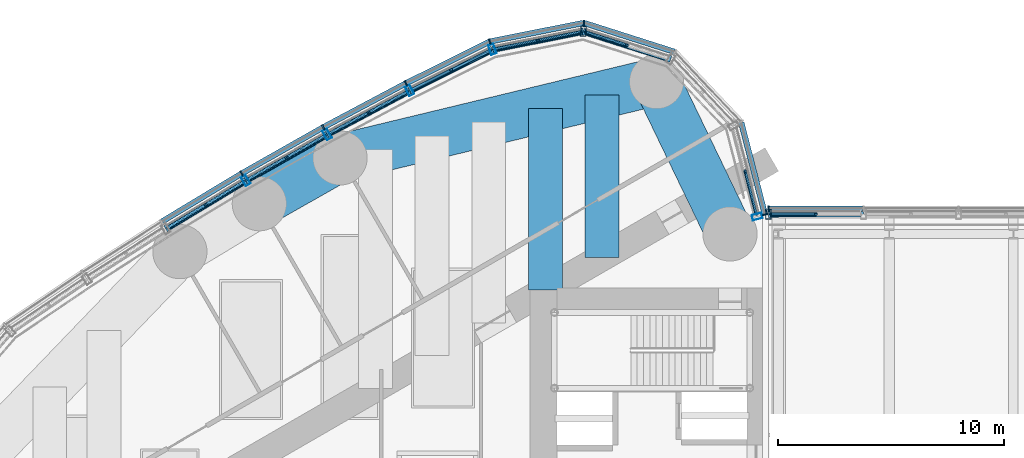
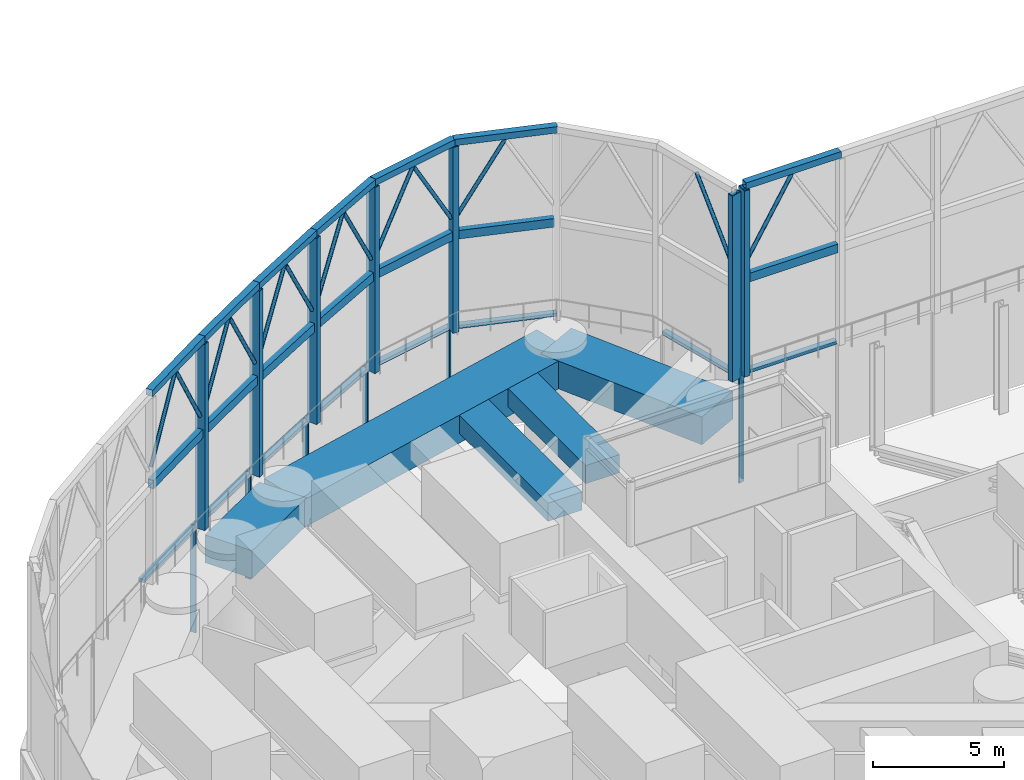
# One storey, part 12 of 33: 49 members, 5 beams, 4 elements without a shape of their own.
"""IFC4 building model written with IfcOpenShell, lengths in metres."""

from ifc_helpers import new_model, si_unit, direction, frame, origin, origin_2d, place, context, subcontext, project, spatial, rectangle, hollow_rectangle, hollow_circle, extrude, material, material_profile, profile_set, type_object, element, aggregate, save


model = new_model("IFC4")

# Units and contexts
model_context = context("Model", 3, precision=1e-05, world=origin(), true_north=direction((0.0, 1.0)))
body_context = subcontext(model_context, "Body", "Model", "MODEL_VIEW")
ifc_project = project(units=[si_unit("LENGTHUNIT", "METRE"), si_unit("AREAUNIT", "SQUARE_METRE"), si_unit("VOLUMEUNIT", "CUBIC_METRE"), si_unit("PLANEANGLEUNIT", "RADIAN"), si_unit("MASSUNIT", "GRAM", prefix="KILO")], contexts=[model_context])

# Site, building, storey
site_placement = place(None, origin())
site = spatial("IfcSite", under=ifc_project, at=site_placement, CompositionType="ELEMENT")
building_placement = place(site_placement, origin())
building = spatial("IfcBuilding", under=site, at=building_placement, Name="Lancet Gate Hotel", CompositionType="ELEMENT")
storey_placement = place(building_placement, frame((0.0, 0.0, 268.300048828125)))
storey = spatial("IfcBuildingStorey", under=building, at=storey_placement, Name="L70", CompositionType="ELEMENT", Elevation=268.300048828125)

# Curtain wall, members
ifc_material_1 = material(Name="Aluminium curtain wall", Category="aluminium")
curtain_wall_type_1 = type_object("IfcCurtainWallType", Name="Lantern crown glazing", PredefinedType="USERDEFINED", material=ifc_material_1)
curtain_wall_1_placement = place(storey_placement, origin())
curtain_wall_1 = element("IfcCurtainWall", 1, at=curtain_wall_1_placement, inside=storey, type_object=curtain_wall_type_1, Name="T1 L70 curtain wall 1", ObjectType="LANTERN GLAZING", PredefinedType="USERDEFINED")
ifc_material_2 = material(Name="Aluminium mullion", Category="aluminium")
ifc_material_profile_1 = material_profile(ifc_material_2, rectangle(XDim=0.06494140625, YDim=0.25, at=origin_2d()), Name="MULLION 65x250")
ifc_profile_set_1 = profile_set([ifc_material_profile_1], Name="Aluminium mullion")
member_type_1 = type_object("IfcMemberType", Name="Aluminium mullion 65x250", PredefinedType="MULLION", material=ifc_profile_set_1)
member_1_placement = place(storey_placement, frame((-27.5, 11.861572265625, 0.0), z_axis=(0.0, 0.0, 1.0), x_axis=(-0.249725827997, 0.968316586056, 0.0)))
member_1 = element("IfcMember", 2, at=member_1_placement, type_object=member_type_1, Name="T1 L70 curtain wall 1 mullion 1", PredefinedType="MULLION", context=body_context, shape_type="SweptSolid", body=[
    extrude(rectangle(XDim=0.06494140625, YDim=0.25, at=origin_2d()), origin(), (0.0, 0.0, 1.0), 5.0),
])
member_2_placement = place(storey_placement, frame((-35.520751953125, 20.347900390625, 0.0), z_axis=(0.0, 0.0, 1.0), x_axis=(-0.998409168318, 0.056383797491, 0.0)))
member_2 = element("IfcMember", 3, at=member_2_placement, type_object=member_type_1, Name="T1 L70 curtain wall 1 mullion 4", PredefinedType="MULLION", context=body_context, shape_type="SweptSolid", body=[
    extrude(rectangle(XDim=0.06494140625, YDim=0.25, at=origin_2d()), origin(), (0.0, 0.0, 1.0), 5.0),
])
member_3_placement = place(storey_placement, frame((-39.684814453125, 19.521240234375, 0.0), z_axis=(0.0, 0.0, 1.0), x_axis=(-0.946887706423, -0.321564412561, 0.0)))
member_3 = element("IfcMember", 4, at=member_3_placement, type_object=member_type_1, Name="T1 L70 curtain wall 1 mullion 5", PredefinedType="MULLION", context=body_context, shape_type="SweptSolid", body=[
    extrude(rectangle(XDim=0.06494140625, YDim=0.25, at=origin_2d()), origin(), (0.0, 0.0, 1.0), 5.0),
])
member_4_placement = place(storey_placement, frame((-43.3994140625, 17.67236328125, 0.0), z_axis=(0.0, 0.0, 1.0), x_axis=(-0.889155526065, -0.457605125046, 0.0)))
member_4 = element("IfcMember", 5, at=member_4_placement, type_object=member_type_1, Name="T1 L70 curtain wall 1 mullion 6", PredefinedType="MULLION", context=body_context, shape_type="SweptSolid", body=[
    extrude(rectangle(XDim=0.06494140625, YDim=0.25, at=origin_2d()), origin(), (0.0, 0.0, 1.0), 5.0),
])
member_5_placement = place(storey_placement, frame((-47.062744140625, 15.72412109375, 0.0), z_axis=(0.0, 0.0, 1.0), x_axis=(-0.876516407283, -0.481371984815, 0.0)))
member_5 = element("IfcMember", 6, at=member_5_placement, type_object=member_type_1, Name="T1 L70 curtain wall 1 mullion 7", PredefinedType="MULLION", context=body_context, shape_type="SweptSolid", body=[
    extrude(rectangle(XDim=0.06494140625, YDim=0.25, at=origin_2d()), origin(), (0.0, 0.0, 1.0), 5.0),
])
member_6_placement = place(storey_placement, frame((-50.67236328125, 13.677978515625, 0.0), z_axis=(0.0, 0.0, 1.0), x_axis=(-0.863242155108, -0.504790037189, 0.0)))
member_6 = element("IfcMember", 7, at=member_6_placement, type_object=member_type_1, Name="T1 L70 curtain wall 1 mullion 8", PredefinedType="MULLION", context=body_context, shape_type="SweptSolid", body=[
    extrude(rectangle(XDim=0.06494140625, YDim=0.25, at=origin_2d()), origin(), (0.0, 0.0, 1.0), 5.0),
])

# Curtain wall, member
curtain_wall_2_placement = place(storey_placement, origin())
curtain_wall_2 = element("IfcCurtainWall", 8, at=curtain_wall_2_placement, inside=storey, type_object=curtain_wall_type_1, Name="Bridge block L70 curtain wall N", ObjectType="LANTERN GLAZING", PredefinedType="USERDEFINED")
member_7_placement = place(storey_placement, frame((-27.35009765625, 12.1201171875, 0.0), z_axis=(0.0, 0.0, 1.0), x_axis=(-1.0, 0.0, 0.0)))
member_7 = element("IfcMember", 9, at=member_7_placement, type_object=member_type_1, Name="Bridge block L70 curtain wall N mullion 14", PredefinedType="MULLION", context=body_context, shape_type="SweptSolid", body=[
    extrude(rectangle(XDim=0.06494140625, YDim=0.25, at=origin_2d()), origin(), (0.0, 0.0, 1.0), 5.0),
])

# Member
ifc_material_3 = material(Name="Aluminium transom", Category="aluminium")
ifc_material_profile_2 = material_profile(ifc_material_3, rectangle(XDim=0.25, YDim=0.14990234375, at=origin_2d()), Name="TRANSOM 250x150")
ifc_profile_set_2 = profile_set([ifc_material_profile_2], Name="Aluminium transom")
member_type_2 = type_object("IfcMemberType", Name="Aluminium transom 250x150", PredefinedType="USERDEFINED", material=ifc_profile_set_2)
member_8_placement = place(storey_placement, frame((-27.508056640625, 11.892822265625, 4.925048828125), z_axis=(-0.249715522936, 0.968319243641, 0.0), x_axis=(-0.968319243641, -0.249715522936, 0.0)))
member_8 = element("IfcMember", 10, at=member_8_placement, type_object=member_type_2, Name="T1 L70 curtain wall 1 transom 1", ObjectType="TRANSOM", PredefinedType="USERDEFINED", context=body_context, shape_type="SweptSolid", body=[
    extrude(rectangle(XDim=0.25, YDim=0.14990234375, at=origin_2d()), origin(), (0.0, 0.0, 1.0), 4.180419921875),
])

member_9_placement = place(storey_placement, frame((-31.507080078125, 19.067626953125, 4.925048828125), z_axis=(-0.952697713775, 0.303919506068, 0.0), x_axis=(-0.303919506068, -0.952697713775, 0.0)))
member_9 = element("IfcMember", 11, at=member_9_placement, type_object=member_type_2, Name="T1 L70 curtain wall 1 transom 3", ObjectType="TRANSOM", PredefinedType="USERDEFINED", context=body_context, shape_type="SweptSolid", body=[
    extrude(rectangle(XDim=0.25, YDim=0.14990234375, at=origin_2d()), origin(), (0.0, 0.0, 1.0), 4.180419921875),
])

member_10_placement = place(storey_placement, frame((-35.552734375, 20.341552734375, 4.925048828125), z_axis=(-0.980858234867, -0.194723196085, 0.0), x_axis=(0.194723196085, -0.980858234867, 0.0)))
member_10 = element("IfcMember", 12, at=member_10_placement, type_object=member_type_2, Name="T1 L70 curtain wall 1 transom 4", ObjectType="TRANSOM", PredefinedType="USERDEFINED", context=body_context, shape_type="SweptSolid", body=[
    extrude(rectangle(XDim=0.25, YDim=0.14990234375, at=origin_2d()), origin(), (0.0, 0.0, 1.0), 4.18017578125),
])

member_11_placement = place(storey_placement, frame((-39.7138671875, 19.5068359375, 4.925048828125), z_axis=(-0.895226720479, -0.445610950202, 0.0), x_axis=(0.445610950202, -0.895226720479, 0.0)))
member_11 = element("IfcMember", 13, at=member_11_placement, type_object=member_type_2, Name="T1 L70 curtain wall 1 transom 5", ObjectType="TRANSOM", PredefinedType="USERDEFINED", context=body_context, shape_type="SweptSolid", body=[
    extrude(rectangle(XDim=0.25, YDim=0.14990234375, at=origin_2d()), origin(), (0.0, 0.0, 1.0), 4.08447265625),
])

member_12_placement = place(storey_placement, frame((-43.427978515625, 17.656982421875, 4.925048828125), z_axis=(-0.882944619844, -0.469477154171, 0.0), x_axis=(0.469477154171, -0.882944619844, 0.0)))
member_12 = element("IfcMember", 14, at=member_12_placement, type_object=member_type_2, Name="T1 L70 curtain wall 1 transom 6", ObjectType="TRANSOM", PredefinedType="USERDEFINED", context=body_context, shape_type="SweptSolid", body=[
    extrude(rectangle(XDim=0.25, YDim=0.14990234375, at=origin_2d()), origin(), (0.0, 0.0, 1.0), 4.084228515625),
])

member_13_placement = place(storey_placement, frame((-47.091064453125, 15.7080078125, 4.925048828125), z_axis=(-0.869977740049, -0.493090997503, 0.0), x_axis=(0.493090997503, -0.869977740049, 0.0)))
member_13 = element("IfcMember", 15, at=member_13_placement, type_object=member_type_2, Name="T1 L70 curtain wall 1 transom 7", ObjectType="TRANSOM", PredefinedType="USERDEFINED", context=body_context, shape_type="SweptSolid", body=[
    extrude(rectangle(XDim=0.25, YDim=0.14990234375, at=origin_2d()), origin(), (0.0, 0.0, 1.0), 4.084228515625),
])

member_14_placement = place(storey_placement, frame((-50.7001953125, 13.661376953125, 4.925048828125), z_axis=(-0.856362214892, -0.516375596737, 0.0), x_axis=(0.516375596737, -0.856362214892, 0.0)))
member_14 = element("IfcMember", 16, at=member_14_placement, type_object=member_type_2, Name="T1 L70 curtain wall 1 transom 8", ObjectType="TRANSOM", PredefinedType="USERDEFINED", context=body_context, shape_type="SweptSolid", body=[
    extrude(rectangle(XDim=0.25, YDim=0.14990234375, at=origin_2d()), origin(), (0.0, 0.0, 1.0), 4.08447265625),
])

aggregate(curtain_wall_1, [member_1, member_2, member_3, member_4, member_5, member_6, member_8, member_9, member_10, member_11, member_12, member_13, member_14])

member_15_placement = place(storey_placement, frame((-23.1748046875, 12.1201171875, 4.925048828125), z_axis=(-1.0, 0.0, 0.0), x_axis=(0.0, -1.0, 0.0)))
member_15 = element("IfcMember", 17, at=member_15_placement, type_object=member_type_2, Name="Bridge block L70 curtain wall N transom 13", ObjectType="TRANSOM", PredefinedType="USERDEFINED", context=body_context, shape_type="SweptSolid", body=[
    extrude(rectangle(XDim=0.25, YDim=0.14990234375, at=origin_2d()), origin(), (0.0, 0.0, 1.0), 4.142578125),
])

aggregate(curtain_wall_2, [member_7, member_15])

# Beams
ifc_material_4 = material(Name="Concrete C50/60", Category="concrete")
ifc_material_profile_3 = material_profile(ifc_material_4, rectangle(XDim=2.10009765625, YDim=1.300048828125, at=origin_2d()), Name="RC 2100x1300")
ifc_profile_set_3 = profile_set([ifc_material_profile_3], Name="Concrete C50/60")
beam_type_1 = type_object("IfcBeamType", Name="Edge beam RC 2100x1300", PredefinedType="SPANDREL", material=ifc_profile_set_3)
beam_1_placement = place(storey_placement, frame((-32.301025390625, 17.745361328125, 4.050048828125), z_axis=(-0.972132796948, -0.234430853556, 0.0), x_axis=(0.234430853556, -0.972132796948, 0.0)))
element("IfcBeam", 18, at=beam_1_placement, inside=storey, type_object=beam_type_1, Name="T1 edge beam EB1 L70", PredefinedType="SPANDREL", context=body_context, shape_type="SweptSolid", body=[
    extrude(rectangle(XDim=2.10009765625, YDim=1.300048828125, at=origin_2d()), origin(), (0.0, 0.0, 1.0), 14.41748046875),
])
beam_2_placement = place(storey_placement, frame((-46.316650390625, 14.365478515625, 4.050048828125), z_axis=(-0.869978841992, -0.493089053301, 0.0), x_axis=(0.493089053301, -0.869978841992, 0.0)))
element("IfcBeam", 19, at=beam_2_placement, inside=storey, type_object=beam_type_1, Name="T1 edge beam EB1 L70", PredefinedType="SPANDREL", context=body_context, shape_type="SweptSolid", body=[
    extrude(rectangle(XDim=2.10009765625, YDim=1.300048828125, at=origin_2d()), origin(), (0.0, 0.0, 1.0), 4.107666015625),
])
beam_3_placement = place(storey_placement, frame((-32.301025390625, 17.745361328125, 4.050048828125), z_axis=(0.434163599361, -0.900834040759, 0.0), x_axis=(0.900834040759, 0.434163599361, 0.0)))
element("IfcBeam", 20, at=beam_3_placement, inside=storey, type_object=beam_type_1, Name="T1 edge beam EB1 L70", PredefinedType="SPANDREL", context=body_context, shape_type="SweptSolid", body=[
    extrude(rectangle(XDim=2.10009765625, YDim=1.300048828125, at=origin_2d()), origin(), (0.0, 0.0, 1.0), 7.48779296875),
])
ifc_material_5 = material(Name="Concrete C50/60", Category="concrete")
ifc_material_profile_4 = material_profile(ifc_material_5, rectangle(XDim=1.5, YDim=0.85009765625, at=origin_2d()), Name="RC 1500x850")
ifc_profile_set_4 = profile_set([ifc_material_profile_4], Name="Concrete C50/60")
beam_type_2 = type_object("IfcBeamType", Name="Floor beam RC 1500x850", PredefinedType="BEAM", material=ifc_profile_set_4)
beam_4_placement = place(storey_placement, frame((-34.720458984375, 17.161865234375, 4.27490234375), z_axis=(0.0, -1.0, 0.0), x_axis=(1.0, 0.0, 0.0)))
element("IfcBeam", 21, at=beam_4_placement, inside=storey, type_object=beam_type_2, Name="T1 floor beam F02S L70", PredefinedType="BEAM", context=body_context, shape_type="SweptSolid", body=[
    extrude(rectangle(XDim=1.5, YDim=0.85009765625, at=origin_2d()), origin(), (0.0, 0.0, 1.0), 7.203857421875),
])
beam_5_placement = place(storey_placement, frame((-37.227294921875, 16.557373046875, 4.27490234375), z_axis=(0.0, -1.0, 0.0), x_axis=(1.0, 0.0, 0.0)))
element("IfcBeam", 22, at=beam_5_placement, inside=storey, type_object=beam_type_2, Name="T1 floor beam F03S L70", PredefinedType="BEAM", context=body_context, shape_type="SweptSolid", body=[
    extrude(rectangle(XDim=1.5, YDim=0.85009765625, at=origin_2d()), origin(), (0.0, 0.0, 1.0), 8.046630859375),
])

# Curtain wall, members
ifc_material_6 = material(Name="Steel framed lantern screen", Category="steel")
curtain_wall_type_2 = type_object("IfcCurtainWallType", Name="Lantern screen", PredefinedType="USERDEFINED", material=ifc_material_6)
curtain_wall_3_placement = place(storey_placement, origin())
curtain_wall_3 = element("IfcCurtainWall", 23, at=curtain_wall_3_placement, inside=storey, type_object=curtain_wall_type_2, Name="T1 lantern screen 1", ObjectType="LANTERN SCREEN", PredefinedType="USERDEFINED")
ifc_material_7 = material(Name="Steel S355", Category="steel")
ifc_material_profile_5 = material_profile(ifc_material_7, hollow_rectangle(XDim=0.300048828125, YDim=0.300048828125, WallThickness=0.012451171875, at=origin_2d()), Name="RHS 300x300x12.5")
ifc_profile_set_5 = profile_set([ifc_material_profile_5], Name="Steel S355")
member_type_3 = type_object("IfcMemberType", Name="Lantern cap beam RHS 300x300x12.5", PredefinedType="USERDEFINED", material=ifc_profile_set_5)
member_16_placement = place(storey_placement, frame((-31.674072265625, 18.742919921875, 13.849853515625), z_axis=(-0.952693301086, 0.303933338195, 0.0), x_axis=(-0.303933338195, -0.952693301086, 0.0)))
member_16 = element("IfcMember", 24, at=member_16_placement, type_object=member_type_3, Name="T1 lantern screen 1 cap 3", ObjectType="LANTERN FRAME", PredefinedType="USERDEFINED", context=body_context, shape_type="SweptSolid", body=[
    extrude(hollow_rectangle(XDim=0.300048828125, YDim=0.300048828125, WallThickness=0.012451171875, at=origin_2d()), origin(), (0.0, 0.0, 1.0), 4.059814453125),
])
member_17_placement = place(storey_placement, frame((-35.541748046875, 19.976806640625, 13.849853515625), z_axis=(-0.980851990108, -0.1947546495, 0.0), x_axis=(0.1947546495, -0.980851990108, 0.0)))
member_17 = element("IfcMember", 25, at=member_17_placement, type_object=member_type_3, Name="T1 lantern screen 1 cap 4", ObjectType="LANTERN FRAME", PredefinedType="USERDEFINED", context=body_context, shape_type="SweptSolid", body=[
    extrude(hollow_rectangle(XDim=0.300048828125, YDim=0.300048828125, WallThickness=0.012451171875, at=origin_2d()), origin(), (0.0, 0.0, 1.0), 4.104248046875),
])
member_18_placement = place(storey_placement, frame((-39.5673828125, 19.177490234375, 13.849853515625), z_axis=(-0.895248155205, -0.445567885515, 0.0), x_axis=(0.445567885515, -0.895248155205, 0.0)))
member_18 = element("IfcMember", 26, at=member_18_placement, type_object=member_type_3, Name="T1 lantern screen 1 cap 5", ObjectType="LANTERN FRAME", PredefinedType="USERDEFINED", context=body_context, shape_type="SweptSolid", body=[
    extrude(hollow_rectangle(XDim=0.300048828125, YDim=0.300048828125, WallThickness=0.012451171875, at=origin_2d()), origin(), (0.0, 0.0, 1.0), 4.096435546875),
])
member_19_placement = place(storey_placement, frame((-43.234619140625, 17.352294921875, 13.849853515625), z_axis=(-0.882891118076, -0.469577760997, 0.0), x_axis=(0.469577760997, -0.882891118076, 0.0)))
member_19 = element("IfcMember", 27, at=member_19_placement, type_object=member_type_3, Name="T1 lantern screen 1 cap 6", ObjectType="LANTERN FRAME", PredefinedType="USERDEFINED", context=body_context, shape_type="SweptSolid", body=[
    extrude(hollow_rectangle(XDim=0.300048828125, YDim=0.300048828125, WallThickness=0.012451171875, at=origin_2d()), origin(), (0.0, 0.0, 1.0), 4.1396484375),
])
member_20_placement = place(storey_placement, frame((-46.889404296875, 15.408447265625, 13.849853515625), z_axis=(-0.869969056897, -0.493106317179, 0.0), x_axis=(0.493106317179, -0.869969056897, 0.0)))
member_20 = element("IfcMember", 28, at=member_20_placement, type_object=member_type_3, Name="T1 lantern screen 1 cap 7", ObjectType="LANTERN FRAME", PredefinedType="USERDEFINED", context=body_context, shape_type="SweptSolid", body=[
    extrude(hollow_rectangle(XDim=0.300048828125, YDim=0.300048828125, WallThickness=0.012451171875, at=origin_2d()), origin(), (0.0, 0.0, 1.0), 4.1396484375),
])
member_21_placement = place(storey_placement, frame((-50.49072265625, 13.3671875, 13.849853515625), z_axis=(-0.856372035727, -0.516359309421, 0.0), x_axis=(0.516359309421, -0.856372035727, 0.0)))
member_21 = element("IfcMember", 29, at=member_21_placement, type_object=member_type_3, Name="T1 lantern screen 1 cap 8", ObjectType="LANTERN FRAME", PredefinedType="USERDEFINED", context=body_context, shape_type="SweptSolid", body=[
    extrude(hollow_rectangle(XDim=0.300048828125, YDim=0.300048828125, WallThickness=0.012451171875, at=origin_2d()), origin(), (0.0, 0.0, 1.0), 4.139404296875),
])

# Curtain wall, member
curtain_wall_4_placement = place(storey_placement, origin())
curtain_wall_4 = element("IfcCurtainWall", 30, at=curtain_wall_4_placement, inside=storey, type_object=curtain_wall_type_2, Name="Bridge block lantern screen N", ObjectType="LANTERN SCREEN", PredefinedType="USERDEFINED")
member_22_placement = place(storey_placement, frame((-23.142333984375, 11.8798828125, 13.849853515625), z_axis=(-1.0, 0.0, 0.0), x_axis=(0.0, -1.0, 0.0)))
member_22 = element("IfcMember", 31, at=member_22_placement, type_object=member_type_3, Name="Bridge block lantern screen N cap 13", ObjectType="LANTERN FRAME", PredefinedType="USERDEFINED", context=body_context, shape_type="SweptSolid", body=[
    extrude(hollow_rectangle(XDim=0.300048828125, YDim=0.300048828125, WallThickness=0.012451171875, at=origin_2d()), origin(), (0.0, 0.0, 1.0), 4.207763671875),
])

# Member
ifc_material_8 = material(Name="Steel S355", Category="steel")
ifc_material_profile_6 = material_profile(ifc_material_8, hollow_rectangle(XDim=0.25, YDim=0.449951171875, WallThickness=0.01611328125, at=origin_2d()), Name="RHS 450x250x16")
ifc_profile_set_6 = profile_set([ifc_material_profile_6], Name="Steel S355")
member_type_4 = type_object("IfcMemberType", Name="Lantern frame post RHS 450x250x16", PredefinedType="USERDEFINED", material=ifc_profile_set_6)
member_23_placement = place(storey_placement, frame((-27.8486328125, 11.771484375, 5.0), z_axis=(0.0, 0.0, 1.0), x_axis=(-0.249725827997, 0.968316586056, 0.0)))
member_23 = element("IfcMember", 32, at=member_23_placement, type_object=member_type_4, Name="T1 lantern screen 1 frame post 1", ObjectType="LANTERN FRAME", PredefinedType="USERDEFINED", context=body_context, shape_type="SweptSolid", body=[
    extrude(hollow_rectangle(XDim=0.25, YDim=0.449951171875, WallThickness=0.01611328125, at=origin_2d()), origin(), (0.0, 0.0, 1.0), 8.699951171875),
])

member_24_placement = place(storey_placement, frame((-35.541748046875, 19.976806640625, 5.0), z_axis=(0.0, 0.0, 1.0), x_axis=(-0.998409168318, 0.056383797491, 0.0)))
member_24 = element("IfcMember", 33, at=member_24_placement, type_object=member_type_4, Name="T1 lantern screen 1 frame post 4", ObjectType="LANTERN FRAME", PredefinedType="USERDEFINED", context=body_context, shape_type="SweptSolid", body=[
    extrude(hollow_rectangle(XDim=0.25, YDim=0.449951171875, WallThickness=0.01611328125, at=origin_2d()), origin(), (0.0, 0.0, 1.0), 8.699951171875),
])

member_25_placement = place(storey_placement, frame((-39.5673828125, 19.177490234375, 5.0), z_axis=(0.0, 0.0, 1.0), x_axis=(-0.946394410154, -0.323013344041, 0.0)))
member_25 = element("IfcMember", 34, at=member_25_placement, type_object=member_type_4, Name="T1 lantern screen 1 frame post 5", ObjectType="LANTERN FRAME", PredefinedType="USERDEFINED", context=body_context, shape_type="SweptSolid", body=[
    extrude(hollow_rectangle(XDim=0.25, YDim=0.449951171875, WallThickness=0.01611328125, at=origin_2d()), origin(), (0.0, 0.0, 1.0), 8.699951171875),
])

member_26_placement = place(storey_placement, frame((-43.234619140625, 17.352294921875, 5.0), z_axis=(0.0, 0.0, 1.0), x_axis=(-0.889155526065, -0.457605125046, 0.0)))
member_26 = element("IfcMember", 35, at=member_26_placement, type_object=member_type_4, Name="T1 lantern screen 1 frame post 6", ObjectType="LANTERN FRAME", PredefinedType="USERDEFINED", context=body_context, shape_type="SweptSolid", body=[
    extrude(hollow_rectangle(XDim=0.25, YDim=0.449951171875, WallThickness=0.01611328125, at=origin_2d()), origin(), (0.0, 0.0, 1.0), 8.699951171875),
])

member_27_placement = place(storey_placement, frame((-46.889404296875, 15.408447265625, 5.0), z_axis=(0.0, 0.0, 1.0), x_axis=(-0.876516407283, -0.481371984815, 0.0)))
member_27 = element("IfcMember", 36, at=member_27_placement, type_object=member_type_4, Name="T1 lantern screen 1 frame post 7", ObjectType="LANTERN FRAME", PredefinedType="USERDEFINED", context=body_context, shape_type="SweptSolid", body=[
    extrude(hollow_rectangle(XDim=0.25, YDim=0.449951171875, WallThickness=0.01611328125, at=origin_2d()), origin(), (0.0, 0.0, 1.0), 8.699951171875),
])

member_28_placement = place(storey_placement, frame((-50.49072265625, 13.3671875, 5.0), z_axis=(0.0, 0.0, 1.0), x_axis=(-0.863242155108, -0.504790037189, 0.0)))
member_28 = element("IfcMember", 37, at=member_28_placement, type_object=member_type_4, Name="T1 lantern screen 1 frame post 8", ObjectType="LANTERN FRAME", PredefinedType="USERDEFINED", context=body_context, shape_type="SweptSolid", body=[
    extrude(hollow_rectangle(XDim=0.25, YDim=0.449951171875, WallThickness=0.01611328125, at=origin_2d()), origin(), (0.0, 0.0, 1.0), 8.699951171875),
])

member_29_placement = place(storey_placement, frame((-27.35009765625, 11.8798828125, 5.0), z_axis=(0.0, 0.0, 1.0), x_axis=(-1.0, 0.0, 0.0)))
member_29 = element("IfcMember", 38, at=member_29_placement, type_object=member_type_4, Name="Bridge block lantern screen N frame post 14", ObjectType="LANTERN FRAME", PredefinedType="USERDEFINED", context=body_context, shape_type="SweptSolid", body=[
    extrude(hollow_rectangle(XDim=0.25, YDim=0.449951171875, WallThickness=0.01611328125, at=origin_2d()), origin(), (0.0, 0.0, 1.0), 8.699951171875),
])

ifc_material_9 = material(Name="Steel S355", Category="steel")
ifc_material_profile_7 = material_profile(ifc_material_9, hollow_circle(Radius=0.084228515625, WallThickness=0.008056640625, at=origin_2d()), Name="CHS 168.3x8.0")
ifc_profile_set_7 = profile_set([ifc_material_profile_7], Name="Steel S355")
member_type_5 = type_object("IfcMemberType", Name="Lantern lancet head CHS 168.3x8", PredefinedType="USERDEFINED", material=ifc_profile_set_7)
member_30_placement = place(storey_placement, frame((-27.8798828125, 11.892578125, 10.300048828125), z_axis=(-0.126664511123, 0.491110546886, 0.861839040865), x_axis=(-0.968312470114, -0.249741787097, 0.0)))
member_30 = element("IfcMember", 39, at=member_30_placement, type_object=member_type_5, Name="T1 lantern screen 1 lancet head 1A", ObjectType="LANTERN FRAME", PredefinedType="USERDEFINED", context=body_context, shape_type="SweptSolid", body=[
    extrude(hollow_circle(Radius=0.084228515625, WallThickness=0.008056640625, at=origin_2d()), origin(), (0.0, 0.0, 1.0), 3.84716796875),
])

member_31_placement = place(storey_placement, frame((-35.422607421875, 19.938720703125, 10.300048828125), z_axis=(0.474572265672, -0.151380444223, 0.867101566001), x_axis=(0.303896621532, 0.952705013853, 0.0)))
member_31 = element("IfcMember", 40, at=member_31_placement, type_object=member_type_5, Name="T1 lantern screen 1 lancet head 3B", ObjectType="LANTERN FRAME", PredefinedType="USERDEFINED", context=body_context, shape_type="SweptSolid", body=[
    extrude(hollow_circle(Radius=0.084228515625, WallThickness=0.008056640625, at=origin_2d()), origin(), (0.0, 0.0, 1.0), 3.823974609375),
])

member_32_placement = place(storey_placement, frame((-35.664306640625, 19.952392578125, 10.300048828125), z_axis=(-0.492914843935, -0.097844519583, 0.864558503871), x_axis=(0.194702992557, -0.980862245521, 0.0)))
member_32 = element("IfcMember", 41, at=member_32_placement, type_object=member_type_5, Name="T1 lantern screen 1 lancet head 4A", ObjectType="LANTERN FRAME", PredefinedType="USERDEFINED", context=body_context, shape_type="SweptSolid", body=[
    extrude(hollow_circle(Radius=0.084228515625, WallThickness=0.008056640625, at=origin_2d()), origin(), (0.0, 0.0, 1.0), 3.835205078125),
])

member_33_placement = place(storey_placement, frame((-39.44482421875, 19.201904296875, 10.300048828125), z_axis=(0.492866649264, 0.09784758976, 0.864585632093), x_axis=(-0.194727187929, 0.980857442385, 0.0)))
member_33 = element("IfcMember", 42, at=member_33_placement, type_object=member_type_5, Name="T1 lantern screen 1 lancet head 4B", ObjectType="LANTERN FRAME", PredefinedType="USERDEFINED", context=body_context, shape_type="SweptSolid", body=[
    extrude(hollow_circle(Radius=0.084228515625, WallThickness=0.008056640625, at=origin_2d()), origin(), (0.0, 0.0, 1.0), 3.8349609375),
])

member_34_placement = place(storey_placement, frame((-39.679443359375, 19.121826171875, 10.300048828125), z_axis=(-0.449167997465, -0.223564899476, 0.865024187971), x_axis=(0.44558792147, -0.895238182966, 0.0)))
member_34 = element("IfcMember", 43, at=member_34_placement, type_object=member_type_5, Name="T1 lantern screen 1 lancet head 5A", ObjectType="LANTERN FRAME", PredefinedType="USERDEFINED", context=body_context, shape_type="SweptSolid", body=[
    extrude(hollow_circle(Radius=0.084228515625, WallThickness=0.008056640625, at=origin_2d()), origin(), (0.0, 0.0, 1.0), 3.8330078125),
])

member_35_placement = place(storey_placement, frame((-43.122802734375, 17.407958984375, 10.300048828125), z_axis=(0.449167997465, 0.223564899476, 0.865024187971), x_axis=(-0.44558792147, 0.895238182966, 0.0)))
member_35 = element("IfcMember", 44, at=member_35_placement, type_object=member_type_5, Name="T1 lantern screen 1 lancet head 5B", ObjectType="LANTERN FRAME", PredefinedType="USERDEFINED", context=body_context, shape_type="SweptSolid", body=[
    extrude(hollow_circle(Radius=0.084228515625, WallThickness=0.008056640625, at=origin_2d()), origin(), (0.0, 0.0, 1.0), 3.8330078125),
])

member_36_placement = place(storey_placement, frame((-43.344970703125, 17.29345703125, 10.300048828125), z_axis=(-0.446691193835, -0.237540887949, 0.862578288564), x_axis=(0.469519280525, -0.882922219233, 0.0)))
member_36 = element("IfcMember", 45, at=member_36_placement, type_object=member_type_5, Name="T1 lantern screen 1 lancet head 6A", ObjectType="LANTERN FRAME", PredefinedType="USERDEFINED", context=body_context, shape_type="SweptSolid", body=[
    extrude(hollow_circle(Radius=0.084228515625, WallThickness=0.008056640625, at=origin_2d()), origin(), (0.0, 0.0, 1.0), 3.843994140625),
])

member_37_placement = place(storey_placement, frame((-46.779052734375, 15.46728515625, 10.300048828125), z_axis=(0.446691193835, 0.237540887949, 0.862578288564), x_axis=(-0.469519280525, 0.882922219233, 0.0)))
member_37 = element("IfcMember", 46, at=member_37_placement, type_object=member_type_5, Name="T1 lantern screen 1 lancet head 6B", ObjectType="LANTERN FRAME", PredefinedType="USERDEFINED", context=body_context, shape_type="SweptSolid", body=[
    extrude(hollow_circle(Radius=0.084228515625, WallThickness=0.008056640625, at=origin_2d()), origin(), (0.0, 0.0, 1.0), 3.843994140625),
])

member_38_placement = place(storey_placement, frame((-46.998291015625, 15.346923828125, 10.300048828125), z_axis=(-0.440146278406, -0.249479737601, 0.862572381967), x_axis=(0.493107592506, -0.869968334029, 0.0)))
member_38 = element("IfcMember", 47, at=member_38_placement, type_object=member_type_5, Name="T1 lantern screen 1 lancet head 7A", ObjectType="LANTERN FRAME", PredefinedType="USERDEFINED", context=body_context, shape_type="SweptSolid", body=[
    extrude(hollow_circle(Radius=0.084228515625, WallThickness=0.008056640625, at=origin_2d()), origin(), (0.0, 0.0, 1.0), 3.843994140625),
])

member_39_placement = place(storey_placement, frame((-50.382080078125, 13.428955078125, 10.300048828125), z_axis=(0.440146278406, 0.249479737601, 0.862572381967), x_axis=(-0.493107592506, 0.869968334029, 0.0)))
member_39 = element("IfcMember", 48, at=member_39_placement, type_object=member_type_5, Name="T1 lantern screen 1 lancet head 7B", ObjectType="LANTERN FRAME", PredefinedType="USERDEFINED", context=body_context, shape_type="SweptSolid", body=[
    extrude(hollow_circle(Radius=0.084228515625, WallThickness=0.008056640625, at=origin_2d()), origin(), (0.0, 0.0, 1.0), 3.843994140625),
])

member_40_placement = place(storey_placement, frame((-50.59765625, 13.302734375, 10.300048828125), z_axis=(-0.433284785577, -0.261228426133, 0.862568260469), x_axis=(0.516322217273, -0.856394399766, 0.0)))
member_40 = element("IfcMember", 49, at=member_40_placement, type_object=member_type_5, Name="T1 lantern screen 1 lancet head 8A", ObjectType="LANTERN FRAME", PredefinedType="USERDEFINED", context=body_context, shape_type="SweptSolid", body=[
    extrude(hollow_circle(Radius=0.084228515625, WallThickness=0.008056640625, at=origin_2d()), origin(), (0.0, 0.0, 1.0), 3.843994140625),
])

member_41_placement = place(storey_placement, frame((-53.9287109375, 11.294189453125, 10.300048828125), z_axis=(0.433277596095, 0.261287603391, 0.862553947899), x_axis=(-0.516414276541, 0.856338890268, 0.0)))
member_41 = element("IfcMember", 50, at=member_41_placement, type_object=member_type_5, Name="T1 lantern screen 1 lancet head 8B", ObjectType="LANTERN FRAME", PredefinedType="USERDEFINED", context=body_context, shape_type="SweptSolid", body=[
    extrude(hollow_circle(Radius=0.084228515625, WallThickness=0.008056640625, at=origin_2d()), origin(), (0.0, 0.0, 1.0), 3.843994140625),
])

member_42_placement = place(storey_placement, frame((-27.22509765625, 11.8798828125, 10.300048828125), z_axis=(0.512513906449, 0.0, 0.858678924684), x_axis=(0.0, 1.0, 0.0)))
member_42 = element("IfcMember", 51, at=member_42_placement, type_object=member_type_5, Name="Bridge block lantern screen N lancet head 13B", ObjectType="LANTERN FRAME", PredefinedType="USERDEFINED", context=body_context, shape_type="SweptSolid", body=[
    extrude(hollow_circle(Radius=0.084228515625, WallThickness=0.008056640625, at=origin_2d()), origin(), (0.0, 0.0, 1.0), 3.861328125),
])

ifc_material_10 = material(Name="Steel S355", Category="steel")
ifc_material_profile_8 = material_profile(ifc_material_10, hollow_rectangle(XDim=0.25, YDim=0.39990234375, WallThickness=0.012451171875, at=origin_2d()), Name="RHS 400x250x12.5")
ifc_profile_set_8 = profile_set([ifc_material_profile_8], Name="Steel S355")
member_type_6 = type_object("IfcMemberType", Name="Lantern ring beam RHS 400x250x12.5", PredefinedType="USERDEFINED", material=ifc_profile_set_8)
member_43_placement = place(storey_placement, frame((-31.793212890625, 18.781005859375, 9.5), z_axis=(-0.952705013853, 0.303896621532, 0.0), x_axis=(-0.303896621532, -0.952705013853, 0.0)))
member_43 = element("IfcMember", 52, at=member_43_placement, type_object=member_type_6, Name="T1 lantern screen 1 ring 3", ObjectType="LANTERN FRAME", PredefinedType="USERDEFINED", context=body_context, shape_type="SweptSolid", body=[
    extrude(hollow_rectangle(XDim=0.25, YDim=0.39990234375, WallThickness=0.012451171875, at=origin_2d()), origin(), (0.0, 0.0, 1.0), 3.8095703125),
])

member_44_placement = place(storey_placement, frame((-35.664306640625, 19.952392578125, 9.5), z_axis=(-0.980859844177, -0.194715089506, 0.0), x_axis=(0.194715089506, -0.980859844177, 0.0)))
member_44 = element("IfcMember", 53, at=member_44_placement, type_object=member_type_6, Name="T1 lantern screen 1 ring 4", ObjectType="LANTERN FRAME", PredefinedType="USERDEFINED", context=body_context, shape_type="SweptSolid", body=[
    extrude(hollow_rectangle(XDim=0.25, YDim=0.39990234375, WallThickness=0.012451171875, at=origin_2d()), origin(), (0.0, 0.0, 1.0), 3.854248046875),
])

member_45_placement = place(storey_placement, frame((-39.679443359375, 19.121826171875, 9.5), z_axis=(-0.895238182966, -0.44558792147, 0.0), x_axis=(0.44558792147, -0.895238182966, 0.0)))
member_45 = element("IfcMember", 54, at=member_45_placement, type_object=member_type_6, Name="T1 lantern screen 1 ring 5", ObjectType="LANTERN FRAME", PredefinedType="USERDEFINED", context=body_context, shape_type="SweptSolid", body=[
    extrude(hollow_rectangle(XDim=0.25, YDim=0.39990234375, WallThickness=0.012451171875, at=origin_2d()), origin(), (0.0, 0.0, 1.0), 3.84619140625),
])

member_46_placement = place(storey_placement, frame((-43.344970703125, 17.29345703125, 9.5), z_axis=(-0.882922219233, -0.469519280525, 0.0), x_axis=(0.469519280525, -0.882922219233, 0.0)))
member_46 = element("IfcMember", 55, at=member_46_placement, type_object=member_type_6, Name="T1 lantern screen 1 ring 6", ObjectType="LANTERN FRAME", PredefinedType="USERDEFINED", context=body_context, shape_type="SweptSolid", body=[
    extrude(hollow_rectangle(XDim=0.25, YDim=0.39990234375, WallThickness=0.012451171875, at=origin_2d()), origin(), (0.0, 0.0, 1.0), 3.889404296875),
])

member_47_placement = place(storey_placement, frame((-46.998291015625, 15.346923828125, 9.5), z_axis=(-0.869968334029, -0.493107592506, 0.0), x_axis=(0.493107592506, -0.869968334029, 0.0)))
member_47 = element("IfcMember", 56, at=member_47_placement, type_object=member_type_6, Name="T1 lantern screen 1 ring 7", ObjectType="LANTERN FRAME", PredefinedType="USERDEFINED", context=body_context, shape_type="SweptSolid", body=[
    extrude(hollow_rectangle(XDim=0.25, YDim=0.39990234375, WallThickness=0.012451171875, at=origin_2d()), origin(), (0.0, 0.0, 1.0), 3.8896484375),
])

member_48_placement = place(storey_placement, frame((-50.59765625, 13.302734375, 9.5), z_axis=(-0.856366645354, -0.516368249145, 0.0), x_axis=(0.516368249145, -0.856366645354, 0.0)))
member_48 = element("IfcMember", 57, at=member_48_placement, type_object=member_type_6, Name="T1 lantern screen 1 ring 8", ObjectType="LANTERN FRAME", PredefinedType="USERDEFINED", context=body_context, shape_type="SweptSolid", body=[
    extrude(hollow_rectangle(XDim=0.25, YDim=0.39990234375, WallThickness=0.012451171875, at=origin_2d()), origin(), (0.0, 0.0, 1.0), 3.8896484375),
])

aggregate(curtain_wall_3, [member_23, member_24, member_25, member_26, member_27, member_28, member_30, member_16, member_43, member_31, member_17, member_44, member_32, member_33, member_18, member_45, member_34, member_35, member_19, member_46, member_36, member_37, member_20, member_47, member_38, member_39, member_21, member_48, member_40, member_41])

member_49_placement = place(storey_placement, frame((-23.267333984375, 11.8798828125, 9.5), z_axis=(-1.0, 0.0, 0.0), x_axis=(0.0, -1.0, 0.0)))
member_49 = element("IfcMember", 58, at=member_49_placement, type_object=member_type_6, Name="Bridge block lantern screen N ring 13", ObjectType="LANTERN FRAME", PredefinedType="USERDEFINED", context=body_context, shape_type="SweptSolid", body=[
    extrude(hollow_rectangle(XDim=0.25, YDim=0.39990234375, WallThickness=0.012451171875, at=origin_2d()), origin(), (0.0, 0.0, 1.0), 3.957763671875),
])

aggregate(curtain_wall_4, [member_29, member_22, member_49, member_42])

save(model, "model.ifc")
